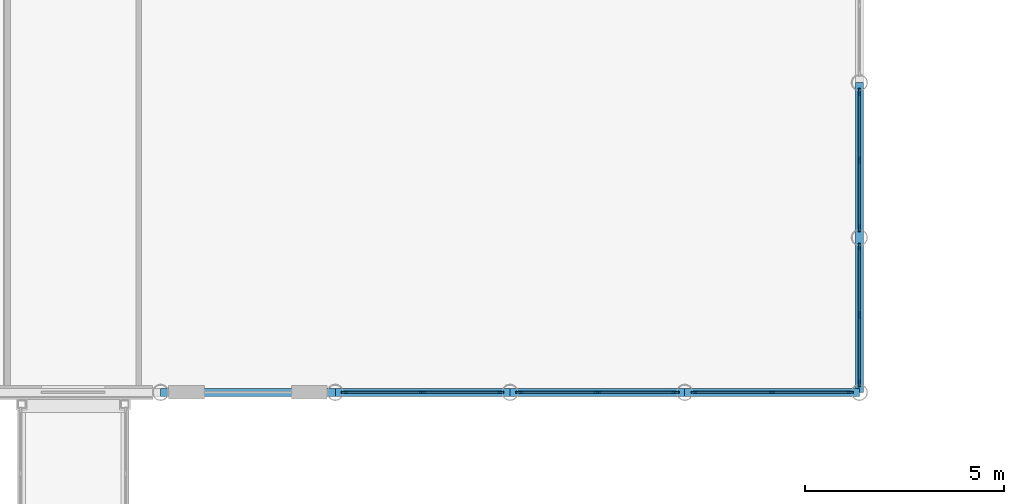
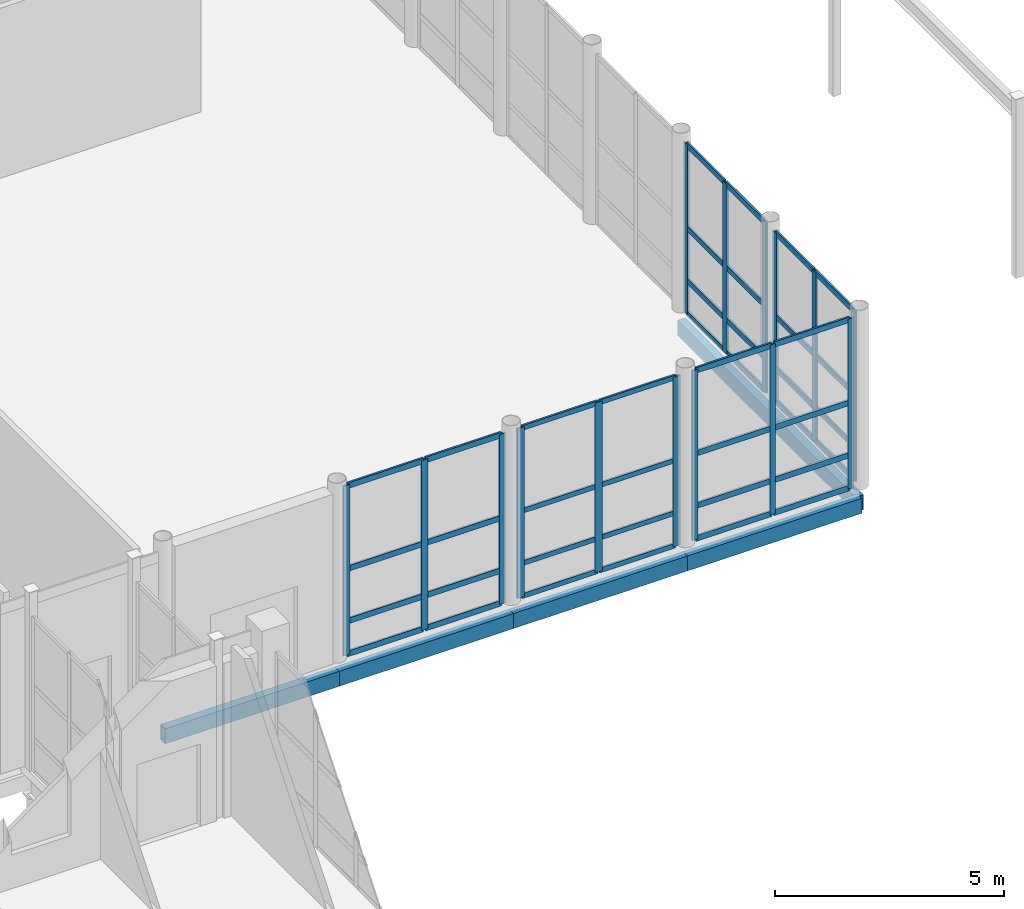
# One storey, part 40 of 131: 55 members, 5 beams, 5 elements without a shape of their own.
"""IFC4 building model written with IfcOpenShell, lengths in metres."""

from ifc_helpers import new_model, si_unit, direction, frame, origin, origin_2d, place, context, subcontext, project, spatial, rectangle, hollow_rectangle, extrude, material, layer, layer_set, material_profile, profile_set, type_object, element, aggregate, save


model = new_model("IFC4")

# Units and contexts
model_context = context("Model", 3, precision=1e-05, world=origin(), true_north=direction((0.0, 1.0)))
body_context = subcontext(model_context, "Body", "Model", "MODEL_VIEW")
ifc_project = project(units=[si_unit("LENGTHUNIT", "METRE"), si_unit("AREAUNIT", "SQUARE_METRE"), si_unit("VOLUMEUNIT", "CUBIC_METRE"), si_unit("PLANEANGLEUNIT", "RADIAN"), si_unit("MASSUNIT", "GRAM", prefix="KILO")], contexts=[model_context])

# Site, building, storey
site_placement = place(None, origin())
site = spatial("IfcSite", under=ifc_project, at=site_placement, CompositionType="ELEMENT")
building_placement = place(site_placement, origin())
building = spatial("IfcBuilding", under=site, at=building_placement, Name="Celorna Specialist Clinic", CompositionType="ELEMENT")
storey_placement = place(building_placement, origin())
storey = spatial("IfcBuildingStorey", under=building, at=storey_placement, Name="L00", CompositionType="ELEMENT", Elevation=0.0)

# Beams
ifc_material_1 = material(Name="Steel S355", Category="steel")
ifc_material_profile_1 = material_profile(ifc_material_1, hollow_rectangle(XDim=0.199951171875, YDim=0.39990234375, WallThickness=0.011962890625, at=origin_2d()), Name="RHS 200x400x12")
ifc_profile_set_1 = profile_set([ifc_material_profile_1], Name="Steel S355")
beam_type = type_object("IfcBeamType", Name="BM-15", PredefinedType="SPANDREL", material=ifc_profile_set_1)
beam_1_placement = place(storey_placement, frame((85.39990234375, 46.800048828125, -0.5), z_axis=(1.0, 0.0, 0.0), x_axis=(0.0, 1.0, 0.0)))
element("IfcBeam", 1, at=beam_1_placement, inside=storey, type_object=beam_type, Name="Spandrel beam BM-15 #135", PredefinedType="SPANDREL", context=body_context, shape_type="SweptSolid", body=[
    extrude(hollow_rectangle(XDim=0.199951171875, YDim=0.39990234375, WallThickness=0.011962890625, at=origin_2d()), origin(), (0.0, 0.0, 1.0), 4.400146484375),
])
beam_2_placement = place(storey_placement, frame((89.800048828125, 46.800048828125, -0.5), z_axis=(1.0, 0.0, 0.0), x_axis=(0.0, 1.0, 0.0)))
element("IfcBeam", 2, at=beam_2_placement, inside=storey, type_object=beam_type, Name="Spandrel beam BM-15 #136", PredefinedType="SPANDREL", context=body_context, shape_type="SweptSolid", body=[
    extrude(hollow_rectangle(XDim=0.199951171875, YDim=0.39990234375, WallThickness=0.011962890625, at=origin_2d()), origin(), (0.0, 0.0, 1.0), 4.39990234375),
])
beam_3_placement = place(storey_placement, frame((94.199951171875, 46.800048828125, -0.5), z_axis=(1.0, 0.0, 0.0), x_axis=(0.0, 1.0, 0.0)))
element("IfcBeam", 3, at=beam_3_placement, inside=storey, type_object=beam_type, Name="Spandrel beam BM-15 #137", PredefinedType="SPANDREL", context=body_context, shape_type="SweptSolid", body=[
    extrude(hollow_rectangle(XDim=0.199951171875, YDim=0.39990234375, WallThickness=0.011962890625, at=origin_2d()), origin(), (0.0, 0.0, 1.0), 4.400146484375),
])
beam_4_placement = place(storey_placement, frame((98.60009765625, 46.800048828125, -0.5), z_axis=(1.0, 0.0, 0.0), x_axis=(0.0, 1.0, 0.0)))
element("IfcBeam", 4, at=beam_4_placement, inside=storey, type_object=beam_type, Name="Spandrel beam BM-15 #138", PredefinedType="SPANDREL", context=body_context, shape_type="SweptSolid", body=[
    extrude(hollow_rectangle(XDim=0.199951171875, YDim=0.39990234375, WallThickness=0.011962890625, at=origin_2d()), origin(), (0.0, 0.0, 1.0), 4.39990234375),
])
beam_5_placement = place(storey_placement, frame((103.0, 46.800048828125, -0.5), z_axis=(0.0, 1.0, 0.0), x_axis=(-1.0, 0.0, 0.0)))
element("IfcBeam", 5, at=beam_5_placement, inside=storey, type_object=beam_type, Name="Spandrel beam BM-15 #175", PredefinedType="SPANDREL", context=body_context, shape_type="SweptSolid", body=[
    extrude(hollow_rectangle(XDim=0.199951171875, YDim=0.39990234375, WallThickness=0.011962890625, at=origin_2d()), origin(), (0.0, 0.0, 1.0), 7.800048828125),
])

# Curtain wall, members
ifc_material_2 = material(Name="Thermally broken aluminium and solar-control glass curtain wall", Category="aluminium")
ifc_layer_1 = layer(ifc_material_2, 0.159912109375, Name="Thermally broken aluminium and solar-control glass curtain wall")
ifc_layer_set_1 = layer_set([ifc_layer_1], Name="Thermally broken aluminium and solar-control glass curtain wall")
curtain_wall_type_1 = type_object("IfcCurtainWallType", Name="CW-03", PredefinedType="NOTDEFINED", material=ifc_layer_set_1)
curtain_wall_1_placement = place(storey_placement, origin())
curtain_wall_1 = element("IfcCurtainWall", 6, at=curtain_wall_1_placement, inside=storey, type_object=curtain_wall_type_1, Name="Curtain wall CW-03 #7", PredefinedType="NOTDEFINED")
ifc_material_3 = material(Name="Anodized aluminium mullion", Category="aluminium")
ifc_material_profile_2 = material_profile(ifc_material_3, rectangle(XDim=0.050048828125, YDim=0.159912109375, at=origin_2d()), Name="ALU MULLION 50x160")
ifc_profile_set_2 = profile_set([ifc_material_profile_2], Name="Anodized aluminium mullion")
member_type_1 = type_object("IfcMemberType", Name="ML-01", PredefinedType="MULLION", material=ifc_profile_set_2)
member_1_placement = place(storey_placement, frame((93.9677734375, 46.800048828125, 0.0), z_axis=(0.0, 0.0, 1.0), x_axis=(0.0, -1.0, 0.0)))
member_1 = element("IfcMember", 7, at=member_1_placement, type_object=member_type_1, Name="CW-03 mullion 1", PredefinedType="MULLION", context=body_context, shape_type="SweptSolid", body=[
    extrude(rectangle(XDim=0.050048828125, YDim=0.159912109375, at=origin_2d()), origin(), (0.0, 0.0, 1.0), 4.5400390625),
])
member_2_placement = place(storey_placement, frame((92.0, 46.800048828125, 0.0), z_axis=(0.0, 0.0, 1.0), x_axis=(0.0, -1.0, 0.0)))
member_2 = element("IfcMember", 8, at=member_2_placement, type_object=member_type_1, Name="CW-03 mullion 2", PredefinedType="MULLION", context=body_context, shape_type="SweptSolid", body=[
    extrude(rectangle(XDim=0.050048828125, YDim=0.159912109375, at=origin_2d()), origin(), (0.0, 0.0, 1.0), 4.5400390625),
])
member_3_placement = place(storey_placement, frame((90.0322265625, 46.800048828125, 0.0), z_axis=(0.0, 0.0, 1.0), x_axis=(0.0, -1.0, 0.0)))
member_3 = element("IfcMember", 9, at=member_3_placement, type_object=member_type_1, Name="CW-03 mullion 3", PredefinedType="MULLION", context=body_context, shape_type="SweptSolid", body=[
    extrude(rectangle(XDim=0.050048828125, YDim=0.159912109375, at=origin_2d()), origin(), (0.0, 0.0, 1.0), 4.5400390625),
])

ifc_layer_2 = layer(ifc_material_2, 0.159912109375, Name="Thermally broken aluminium and solar-control glass curtain wall")
ifc_layer_set_2 = layer_set([ifc_layer_2], Name="Thermally broken aluminium and solar-control glass curtain wall")
curtain_wall_type_2 = type_object("IfcCurtainWallType", Name="CW-01", PredefinedType="NOTDEFINED", material=ifc_layer_set_2)
curtain_wall_2_placement = place(storey_placement, origin())
curtain_wall_2 = element("IfcCurtainWall", 10, at=curtain_wall_2_placement, inside=storey, type_object=curtain_wall_type_2, Name="Curtain wall CW-01 #8", PredefinedType="NOTDEFINED")
ifc_material_profile_3 = material_profile(ifc_material_3, rectangle(XDim=0.050048828125, YDim=0.179931640625, at=origin_2d()), Name="ALU MULLION 50x180")
ifc_profile_set_3 = profile_set([ifc_material_profile_3], Name="Anodized aluminium mullion")
member_type_2 = type_object("IfcMemberType", Name="ML-02", PredefinedType="MULLION", material=ifc_profile_set_3)
member_4_placement = place(storey_placement, frame((98.367919921875, 46.800048828125, 0.0), z_axis=(0.0, 0.0, 1.0), x_axis=(0.0, -1.0, 0.0)))
member_4 = element("IfcMember", 11, at=member_4_placement, type_object=member_type_2, Name="CW-01 mullion 1", PredefinedType="MULLION", context=body_context, shape_type="SweptSolid", body=[
    extrude(rectangle(XDim=0.050048828125, YDim=0.179931640625, at=origin_2d()), origin(), (0.0, 0.0, 1.0), 4.5400390625),
])
member_5_placement = place(storey_placement, frame((96.39990234375, 46.800048828125, 0.0), z_axis=(0.0, 0.0, 1.0), x_axis=(0.0, -1.0, 0.0)))
member_5 = element("IfcMember", 12, at=member_5_placement, type_object=member_type_2, Name="CW-01 mullion 2", PredefinedType="MULLION", context=body_context, shape_type="SweptSolid", body=[
    extrude(rectangle(XDim=0.050048828125, YDim=0.179931640625, at=origin_2d()), origin(), (0.0, 0.0, 1.0), 4.5400390625),
])
member_6_placement = place(storey_placement, frame((94.43212890625, 46.800048828125, 0.0), z_axis=(0.0, 0.0, 1.0), x_axis=(0.0, -1.0, 0.0)))
member_6 = element("IfcMember", 13, at=member_6_placement, type_object=member_type_2, Name="CW-01 mullion 3", PredefinedType="MULLION", context=body_context, shape_type="SweptSolid", body=[
    extrude(rectangle(XDim=0.050048828125, YDim=0.179931640625, at=origin_2d()), origin(), (0.0, 0.0, 1.0), 4.5400390625),
])

ifc_layer_3 = layer(ifc_material_2, 0.159912109375, Name="Thermally broken aluminium and solar-control glass curtain wall")
ifc_layer_set_3 = layer_set([ifc_layer_3], Name="Thermally broken aluminium and solar-control glass curtain wall")
curtain_wall_type_3 = type_object("IfcCurtainWallType", Name="CW-04", PredefinedType="NOTDEFINED", material=ifc_layer_set_3)
curtain_wall_3_placement = place(storey_placement, origin())
curtain_wall_3 = element("IfcCurtainWall", 14, at=curtain_wall_3_placement, inside=storey, type_object=curtain_wall_type_3, Name="Curtain wall CW-04 #18", PredefinedType="NOTDEFINED")
member_7_placement = place(storey_placement, frame((103.0, 54.367919921875, 0.0), z_axis=(0.0, 0.0, 1.0), x_axis=(1.0, 0.0, 0.0)))
member_7 = element("IfcMember", 15, at=member_7_placement, type_object=member_type_2, Name="CW-04 mullion 1", PredefinedType="MULLION", context=body_context, shape_type="SweptSolid", body=[
    extrude(rectangle(XDim=0.050048828125, YDim=0.179931640625, at=origin_2d()), origin(), (0.0, 0.0, 1.0), 4.5400390625),
])
member_8_placement = place(storey_placement, frame((103.0, 52.64990234375, 0.0), z_axis=(0.0, 0.0, 1.0), x_axis=(1.0, 0.0, 0.0)))
member_8 = element("IfcMember", 16, at=member_8_placement, type_object=member_type_2, Name="CW-04 mullion 2", PredefinedType="MULLION", context=body_context, shape_type="SweptSolid", body=[
    extrude(rectangle(XDim=0.050048828125, YDim=0.179931640625, at=origin_2d()), origin(), (0.0, 0.0, 1.0), 4.5400390625),
])
member_9_placement = place(storey_placement, frame((103.0, 50.93212890625, 0.0), z_axis=(0.0, 0.0, 1.0), x_axis=(1.0, 0.0, 0.0)))
member_9 = element("IfcMember", 17, at=member_9_placement, type_object=member_type_2, Name="CW-04 mullion 3", PredefinedType="MULLION", context=body_context, shape_type="SweptSolid", body=[
    extrude(rectangle(XDim=0.050048828125, YDim=0.179931640625, at=origin_2d()), origin(), (0.0, 0.0, 1.0), 4.5400390625),
])

curtain_wall_4_placement = place(storey_placement, origin())
curtain_wall_4 = element("IfcCurtainWall", 18, at=curtain_wall_4_placement, inside=storey, type_object=curtain_wall_type_3, Name="Curtain wall CW-04 #19", PredefinedType="NOTDEFINED")
member_10_placement = place(storey_placement, frame((103.0, 50.4677734375, 0.0), z_axis=(0.0, 0.0, 1.0), x_axis=(1.0, 0.0, 0.0)))
member_10 = element("IfcMember", 19, at=member_10_placement, type_object=member_type_2, Name="CW-04 mullion 1", PredefinedType="MULLION", context=body_context, shape_type="SweptSolid", body=[
    extrude(rectangle(XDim=0.050048828125, YDim=0.179931640625, at=origin_2d()), origin(), (0.0, 0.0, 1.0), 4.5400390625),
])
member_11_placement = place(storey_placement, frame((103.0, 48.75, 0.0), z_axis=(0.0, 0.0, 1.0), x_axis=(1.0, 0.0, 0.0)))
member_11 = element("IfcMember", 20, at=member_11_placement, type_object=member_type_2, Name="CW-04 mullion 2", PredefinedType="MULLION", context=body_context, shape_type="SweptSolid", body=[
    extrude(rectangle(XDim=0.050048828125, YDim=0.179931640625, at=origin_2d()), origin(), (0.0, 0.0, 1.0), 4.5400390625),
])
member_12_placement = place(storey_placement, frame((103.0, 47.0322265625, 0.0), z_axis=(0.0, 0.0, 1.0), x_axis=(1.0, 0.0, 0.0)))
member_12 = element("IfcMember", 21, at=member_12_placement, type_object=member_type_2, Name="CW-04 mullion 3", PredefinedType="MULLION", context=body_context, shape_type="SweptSolid", body=[
    extrude(rectangle(XDim=0.050048828125, YDim=0.179931640625, at=origin_2d()), origin(), (0.0, 0.0, 1.0), 4.5400390625),
])

ifc_layer_4 = layer(ifc_material_2, 0.159912109375, Name="Thermally broken aluminium and solar-control glass curtain wall")
ifc_layer_set_4 = layer_set([ifc_layer_4], Name="Thermally broken aluminium and solar-control glass curtain wall")
curtain_wall_type_4 = type_object("IfcCurtainWallType", Name="CW-02", PredefinedType="NOTDEFINED", material=ifc_layer_set_4)
curtain_wall_5_placement = place(storey_placement, origin())
curtain_wall_5 = element("IfcCurtainWall", 22, at=curtain_wall_5_placement, inside=storey, type_object=curtain_wall_type_4, Name="Curtain wall CW-02 #9", PredefinedType="NOTDEFINED")
ifc_material_profile_4 = material_profile(ifc_material_3, rectangle(XDim=0.050048828125, YDim=0.139892578125, at=origin_2d()), Name="ALU MULLION 50x140")
ifc_profile_set_4 = profile_set([ifc_material_profile_4], Name="Anodized aluminium mullion")
member_type_3 = type_object("IfcMemberType", Name="ML-03", PredefinedType="MULLION", material=ifc_profile_set_4)
member_13_placement = place(storey_placement, frame((102.767822265625, 46.800048828125, 0.0), z_axis=(0.0, 0.0, 1.0), x_axis=(0.0, -1.0, 0.0)))
member_13 = element("IfcMember", 23, at=member_13_placement, type_object=member_type_3, Name="CW-02 mullion 1", PredefinedType="MULLION", context=body_context, shape_type="SweptSolid", body=[
    extrude(rectangle(XDim=0.050048828125, YDim=0.139892578125, at=origin_2d()), origin(), (0.0, 0.0, 1.0), 4.5400390625),
])
member_14_placement = place(storey_placement, frame((100.800048828125, 46.800048828125, 0.0), z_axis=(0.0, 0.0, 1.0), x_axis=(0.0, -1.0, 0.0)))
member_14 = element("IfcMember", 24, at=member_14_placement, type_object=member_type_3, Name="CW-02 mullion 2", PredefinedType="MULLION", context=body_context, shape_type="SweptSolid", body=[
    extrude(rectangle(XDim=0.050048828125, YDim=0.139892578125, at=origin_2d()), origin(), (0.0, 0.0, 1.0), 4.5400390625),
])
member_15_placement = place(storey_placement, frame((98.832275390625, 46.800048828125, 0.0), z_axis=(0.0, 0.0, 1.0), x_axis=(0.0, -1.0, 0.0)))
member_15 = element("IfcMember", 25, at=member_15_placement, type_object=member_type_3, Name="CW-02 mullion 3", PredefinedType="MULLION", context=body_context, shape_type="SweptSolid", body=[
    extrude(rectangle(XDim=0.050048828125, YDim=0.139892578125, at=origin_2d()), origin(), (0.0, 0.0, 1.0), 4.5400390625),
])

# Member
ifc_material_4 = material(Name="Anodized aluminium transom", Category="aluminium")
ifc_material_profile_5 = material_profile(ifc_material_4, rectangle(XDim=0.050048828125, YDim=0.1298828125, at=origin_2d()), Name="ALU TRANSOM 50x130")
ifc_profile_set_5 = profile_set([ifc_material_profile_5], Name="Anodized aluminium transom")
member_type_4 = type_object("IfcMemberType", Name="TR-01", PredefinedType="USERDEFINED", material=ifc_profile_set_5)
member_16_placement = place(storey_placement, frame((98.3427734375, 46.800048828125, 0.02490234375), z_axis=(-1.0, 0.0, 0.0), x_axis=(0.0, -1.0, 0.0)))
member_16 = element("IfcMember", 26, at=member_16_placement, type_object=member_type_4, Name="CW-01 transom 1.1", ObjectType="TRANSOM", PredefinedType="USERDEFINED", context=body_context, shape_type="SweptSolid", body=[
    extrude(rectangle(XDim=0.050048828125, YDim=0.1298828125, at=origin_2d()), origin(), (0.0, 0.0, 1.0), 1.917724609375),
])

member_17_placement = place(storey_placement, frame((98.3427734375, 46.800048828125, 0.89990234375), z_axis=(-1.0, 0.0, 0.0), x_axis=(0.0, -1.0, 0.0)))
member_17 = element("IfcMember", 27, at=member_17_placement, type_object=member_type_4, Name="CW-01 transom 1.2", ObjectType="TRANSOM", PredefinedType="USERDEFINED", context=body_context, shape_type="SweptSolid", body=[
    extrude(rectangle(XDim=0.050048828125, YDim=0.1298828125, at=origin_2d()), origin(), (0.0, 0.0, 1.0), 1.917724609375),
])

member_18_placement = place(storey_placement, frame((98.3427734375, 46.800048828125, 2.300048828125), z_axis=(-1.0, 0.0, 0.0), x_axis=(0.0, -1.0, 0.0)))
member_18 = element("IfcMember", 28, at=member_18_placement, type_object=member_type_4, Name="CW-01 transom 1.3", ObjectType="TRANSOM", PredefinedType="USERDEFINED", context=body_context, shape_type="SweptSolid", body=[
    extrude(rectangle(XDim=0.050048828125, YDim=0.1298828125, at=origin_2d()), origin(), (0.0, 0.0, 1.0), 1.917724609375),
])

member_19_placement = place(storey_placement, frame((98.3427734375, 46.800048828125, 4.514892578125), z_axis=(-1.0, 0.0, 0.0), x_axis=(0.0, -1.0, 0.0)))
member_19 = element("IfcMember", 29, at=member_19_placement, type_object=member_type_4, Name="CW-01 transom 1.4", ObjectType="TRANSOM", PredefinedType="USERDEFINED", context=body_context, shape_type="SweptSolid", body=[
    extrude(rectangle(XDim=0.050048828125, YDim=0.1298828125, at=origin_2d()), origin(), (0.0, 0.0, 1.0), 1.917724609375),
])

member_20_placement = place(storey_placement, frame((96.375, 46.800048828125, 0.02490234375), z_axis=(-1.0, 0.0, 0.0), x_axis=(0.0, -1.0, 0.0)))
member_20 = element("IfcMember", 30, at=member_20_placement, type_object=member_type_4, Name="CW-01 transom 2.1", ObjectType="TRANSOM", PredefinedType="USERDEFINED", context=body_context, shape_type="SweptSolid", body=[
    extrude(rectangle(XDim=0.050048828125, YDim=0.1298828125, at=origin_2d()), origin(), (0.0, 0.0, 1.0), 1.917724609375),
])

member_21_placement = place(storey_placement, frame((96.375, 46.800048828125, 0.89990234375), z_axis=(-1.0, 0.0, 0.0), x_axis=(0.0, -1.0, 0.0)))
member_21 = element("IfcMember", 31, at=member_21_placement, type_object=member_type_4, Name="CW-01 transom 2.2", ObjectType="TRANSOM", PredefinedType="USERDEFINED", context=body_context, shape_type="SweptSolid", body=[
    extrude(rectangle(XDim=0.050048828125, YDim=0.1298828125, at=origin_2d()), origin(), (0.0, 0.0, 1.0), 1.917724609375),
])

member_22_placement = place(storey_placement, frame((96.375, 46.800048828125, 2.300048828125), z_axis=(-1.0, 0.0, 0.0), x_axis=(0.0, -1.0, 0.0)))
member_22 = element("IfcMember", 32, at=member_22_placement, type_object=member_type_4, Name="CW-01 transom 2.3", ObjectType="TRANSOM", PredefinedType="USERDEFINED", context=body_context, shape_type="SweptSolid", body=[
    extrude(rectangle(XDim=0.050048828125, YDim=0.1298828125, at=origin_2d()), origin(), (0.0, 0.0, 1.0), 1.917724609375),
])

member_23_placement = place(storey_placement, frame((96.375, 46.800048828125, 4.514892578125), z_axis=(-1.0, 0.0, 0.0), x_axis=(0.0, -1.0, 0.0)))
member_23 = element("IfcMember", 33, at=member_23_placement, type_object=member_type_4, Name="CW-01 transom 2.4", ObjectType="TRANSOM", PredefinedType="USERDEFINED", context=body_context, shape_type="SweptSolid", body=[
    extrude(rectangle(XDim=0.050048828125, YDim=0.1298828125, at=origin_2d()), origin(), (0.0, 0.0, 1.0), 1.917724609375),
])

aggregate(curtain_wall_2, [member_4, member_5, member_6, member_16, member_17, member_18, member_19, member_20, member_21, member_22, member_23])

ifc_material_profile_6 = material_profile(ifc_material_4, rectangle(XDim=0.050048828125, YDim=0.14990234375, at=origin_2d()), Name="ALU TRANSOM 50x150")
ifc_profile_set_6 = profile_set([ifc_material_profile_6], Name="Anodized aluminium transom")
member_type_5 = type_object("IfcMemberType", Name="TR-02", PredefinedType="USERDEFINED", material=ifc_profile_set_6)
member_24_placement = place(storey_placement, frame((93.94287109375, 46.800048828125, 0.02490234375), z_axis=(-1.0, 0.0, 0.0), x_axis=(0.0, -1.0, 0.0)))
member_24 = element("IfcMember", 34, at=member_24_placement, type_object=member_type_5, Name="CW-03 transom 1.1", ObjectType="TRANSOM", PredefinedType="USERDEFINED", context=body_context, shape_type="SweptSolid", body=[
    extrude(rectangle(XDim=0.050048828125, YDim=0.14990234375, at=origin_2d()), origin(), (0.0, 0.0, 1.0), 1.91796875),
])

member_25_placement = place(storey_placement, frame((93.94287109375, 46.800048828125, 0.89990234375), z_axis=(-1.0, 0.0, 0.0), x_axis=(0.0, -1.0, 0.0)))
member_25 = element("IfcMember", 35, at=member_25_placement, type_object=member_type_5, Name="CW-03 transom 1.2", ObjectType="TRANSOM", PredefinedType="USERDEFINED", context=body_context, shape_type="SweptSolid", body=[
    extrude(rectangle(XDim=0.050048828125, YDim=0.14990234375, at=origin_2d()), origin(), (0.0, 0.0, 1.0), 1.91796875),
])

member_26_placement = place(storey_placement, frame((93.94287109375, 46.800048828125, 2.300048828125), z_axis=(-1.0, 0.0, 0.0), x_axis=(0.0, -1.0, 0.0)))
member_26 = element("IfcMember", 36, at=member_26_placement, type_object=member_type_5, Name="CW-03 transom 1.3", ObjectType="TRANSOM", PredefinedType="USERDEFINED", context=body_context, shape_type="SweptSolid", body=[
    extrude(rectangle(XDim=0.050048828125, YDim=0.14990234375, at=origin_2d()), origin(), (0.0, 0.0, 1.0), 1.91796875),
])

member_27_placement = place(storey_placement, frame((93.94287109375, 46.800048828125, 4.514892578125), z_axis=(-1.0, 0.0, 0.0), x_axis=(0.0, -1.0, 0.0)))
member_27 = element("IfcMember", 37, at=member_27_placement, type_object=member_type_5, Name="CW-03 transom 1.4", ObjectType="TRANSOM", PredefinedType="USERDEFINED", context=body_context, shape_type="SweptSolid", body=[
    extrude(rectangle(XDim=0.050048828125, YDim=0.14990234375, at=origin_2d()), origin(), (0.0, 0.0, 1.0), 1.91796875),
])

member_28_placement = place(storey_placement, frame((91.97509765625, 46.800048828125, 0.02490234375), z_axis=(-1.0, 0.0, 0.0), x_axis=(0.0, -1.0, 0.0)))
member_28 = element("IfcMember", 38, at=member_28_placement, type_object=member_type_5, Name="CW-03 transom 2.1", ObjectType="TRANSOM", PredefinedType="USERDEFINED", context=body_context, shape_type="SweptSolid", body=[
    extrude(rectangle(XDim=0.050048828125, YDim=0.14990234375, at=origin_2d()), origin(), (0.0, 0.0, 1.0), 1.91796875),
])

member_29_placement = place(storey_placement, frame((91.97509765625, 46.800048828125, 0.89990234375), z_axis=(-1.0, 0.0, 0.0), x_axis=(0.0, -1.0, 0.0)))
member_29 = element("IfcMember", 39, at=member_29_placement, type_object=member_type_5, Name="CW-03 transom 2.2", ObjectType="TRANSOM", PredefinedType="USERDEFINED", context=body_context, shape_type="SweptSolid", body=[
    extrude(rectangle(XDim=0.050048828125, YDim=0.14990234375, at=origin_2d()), origin(), (0.0, 0.0, 1.0), 1.91796875),
])

member_30_placement = place(storey_placement, frame((91.97509765625, 46.800048828125, 2.300048828125), z_axis=(-1.0, 0.0, 0.0), x_axis=(0.0, -1.0, 0.0)))
member_30 = element("IfcMember", 40, at=member_30_placement, type_object=member_type_5, Name="CW-03 transom 2.3", ObjectType="TRANSOM", PredefinedType="USERDEFINED", context=body_context, shape_type="SweptSolid", body=[
    extrude(rectangle(XDim=0.050048828125, YDim=0.14990234375, at=origin_2d()), origin(), (0.0, 0.0, 1.0), 1.91796875),
])

member_31_placement = place(storey_placement, frame((91.97509765625, 46.800048828125, 4.514892578125), z_axis=(-1.0, 0.0, 0.0), x_axis=(0.0, -1.0, 0.0)))
member_31 = element("IfcMember", 41, at=member_31_placement, type_object=member_type_5, Name="CW-03 transom 2.4", ObjectType="TRANSOM", PredefinedType="USERDEFINED", context=body_context, shape_type="SweptSolid", body=[
    extrude(rectangle(XDim=0.050048828125, YDim=0.14990234375, at=origin_2d()), origin(), (0.0, 0.0, 1.0), 1.91796875),
])

aggregate(curtain_wall_1, [member_1, member_2, member_3, member_24, member_25, member_26, member_27, member_28, member_29, member_30, member_31])

member_32_placement = place(storey_placement, frame((102.742919921875, 46.800048828125, 0.02490234375), z_axis=(-1.0, 0.0, 0.0), x_axis=(0.0, -1.0, 0.0)))
member_32 = element("IfcMember", 42, at=member_32_placement, type_object=member_type_5, Name="CW-02 transom 1.1", ObjectType="TRANSOM", PredefinedType="USERDEFINED", context=body_context, shape_type="SweptSolid", body=[
    extrude(rectangle(XDim=0.050048828125, YDim=0.14990234375, at=origin_2d()), origin(), (0.0, 0.0, 1.0), 1.91796875),
])

member_33_placement = place(storey_placement, frame((102.742919921875, 46.800048828125, 0.89990234375), z_axis=(-1.0, 0.0, 0.0), x_axis=(0.0, -1.0, 0.0)))
member_33 = element("IfcMember", 43, at=member_33_placement, type_object=member_type_5, Name="CW-02 transom 1.2", ObjectType="TRANSOM", PredefinedType="USERDEFINED", context=body_context, shape_type="SweptSolid", body=[
    extrude(rectangle(XDim=0.050048828125, YDim=0.14990234375, at=origin_2d()), origin(), (0.0, 0.0, 1.0), 1.91796875),
])

member_34_placement = place(storey_placement, frame((102.742919921875, 46.800048828125, 2.300048828125), z_axis=(-1.0, 0.0, 0.0), x_axis=(0.0, -1.0, 0.0)))
member_34 = element("IfcMember", 44, at=member_34_placement, type_object=member_type_5, Name="CW-02 transom 1.3", ObjectType="TRANSOM", PredefinedType="USERDEFINED", context=body_context, shape_type="SweptSolid", body=[
    extrude(rectangle(XDim=0.050048828125, YDim=0.14990234375, at=origin_2d()), origin(), (0.0, 0.0, 1.0), 1.91796875),
])

member_35_placement = place(storey_placement, frame((102.742919921875, 46.800048828125, 4.514892578125), z_axis=(-1.0, 0.0, 0.0), x_axis=(0.0, -1.0, 0.0)))
member_35 = element("IfcMember", 45, at=member_35_placement, type_object=member_type_5, Name="CW-02 transom 1.4", ObjectType="TRANSOM", PredefinedType="USERDEFINED", context=body_context, shape_type="SweptSolid", body=[
    extrude(rectangle(XDim=0.050048828125, YDim=0.14990234375, at=origin_2d()), origin(), (0.0, 0.0, 1.0), 1.91796875),
])

member_36_placement = place(storey_placement, frame((100.77490234375, 46.800048828125, 0.02490234375), z_axis=(-1.0, 0.0, 0.0), x_axis=(0.0, -1.0, 0.0)))
member_36 = element("IfcMember", 46, at=member_36_placement, type_object=member_type_5, Name="CW-02 transom 2.1", ObjectType="TRANSOM", PredefinedType="USERDEFINED", context=body_context, shape_type="SweptSolid", body=[
    extrude(rectangle(XDim=0.050048828125, YDim=0.14990234375, at=origin_2d()), origin(), (0.0, 0.0, 1.0), 1.917724609375),
])

member_37_placement = place(storey_placement, frame((100.77490234375, 46.800048828125, 0.89990234375), z_axis=(-1.0, 0.0, 0.0), x_axis=(0.0, -1.0, 0.0)))
member_37 = element("IfcMember", 47, at=member_37_placement, type_object=member_type_5, Name="CW-02 transom 2.2", ObjectType="TRANSOM", PredefinedType="USERDEFINED", context=body_context, shape_type="SweptSolid", body=[
    extrude(rectangle(XDim=0.050048828125, YDim=0.14990234375, at=origin_2d()), origin(), (0.0, 0.0, 1.0), 1.917724609375),
])

member_38_placement = place(storey_placement, frame((100.77490234375, 46.800048828125, 2.300048828125), z_axis=(-1.0, 0.0, 0.0), x_axis=(0.0, -1.0, 0.0)))
member_38 = element("IfcMember", 48, at=member_38_placement, type_object=member_type_5, Name="CW-02 transom 2.3", ObjectType="TRANSOM", PredefinedType="USERDEFINED", context=body_context, shape_type="SweptSolid", body=[
    extrude(rectangle(XDim=0.050048828125, YDim=0.14990234375, at=origin_2d()), origin(), (0.0, 0.0, 1.0), 1.917724609375),
])

member_39_placement = place(storey_placement, frame((100.77490234375, 46.800048828125, 4.514892578125), z_axis=(-1.0, 0.0, 0.0), x_axis=(0.0, -1.0, 0.0)))
member_39 = element("IfcMember", 49, at=member_39_placement, type_object=member_type_5, Name="CW-02 transom 2.4", ObjectType="TRANSOM", PredefinedType="USERDEFINED", context=body_context, shape_type="SweptSolid", body=[
    extrude(rectangle(XDim=0.050048828125, YDim=0.14990234375, at=origin_2d()), origin(), (0.0, 0.0, 1.0), 1.917724609375),
])

aggregate(curtain_wall_5, [member_13, member_14, member_15, member_32, member_33, member_34, member_35, member_36, member_37, member_38, member_39])

member_40_placement = place(storey_placement, frame((103.0, 54.3427734375, 0.02490234375), z_axis=(0.0, -1.0, 0.0), x_axis=(1.0, 0.0, 0.0)))
member_40 = element("IfcMember", 50, at=member_40_placement, type_object=member_type_5, Name="CW-04 transom 1.1", ObjectType="TRANSOM", PredefinedType="USERDEFINED", context=body_context, shape_type="SweptSolid", body=[
    extrude(rectangle(XDim=0.050048828125, YDim=0.14990234375, at=origin_2d()), origin(), (0.0, 0.0, 1.0), 1.667724609375),
])

member_41_placement = place(storey_placement, frame((103.0, 54.3427734375, 0.89990234375), z_axis=(0.0, -1.0, 0.0), x_axis=(1.0, 0.0, 0.0)))
member_41 = element("IfcMember", 51, at=member_41_placement, type_object=member_type_5, Name="CW-04 transom 1.2", ObjectType="TRANSOM", PredefinedType="USERDEFINED", context=body_context, shape_type="SweptSolid", body=[
    extrude(rectangle(XDim=0.050048828125, YDim=0.14990234375, at=origin_2d()), origin(), (0.0, 0.0, 1.0), 1.667724609375),
])

member_42_placement = place(storey_placement, frame((103.0, 54.3427734375, 2.300048828125), z_axis=(0.0, -1.0, 0.0), x_axis=(1.0, 0.0, 0.0)))
member_42 = element("IfcMember", 52, at=member_42_placement, type_object=member_type_5, Name="CW-04 transom 1.3", ObjectType="TRANSOM", PredefinedType="USERDEFINED", context=body_context, shape_type="SweptSolid", body=[
    extrude(rectangle(XDim=0.050048828125, YDim=0.14990234375, at=origin_2d()), origin(), (0.0, 0.0, 1.0), 1.667724609375),
])

member_43_placement = place(storey_placement, frame((103.0, 54.3427734375, 4.514892578125), z_axis=(0.0, -1.0, 0.0), x_axis=(1.0, 0.0, 0.0)))
member_43 = element("IfcMember", 53, at=member_43_placement, type_object=member_type_5, Name="CW-04 transom 1.4", ObjectType="TRANSOM", PredefinedType="USERDEFINED", context=body_context, shape_type="SweptSolid", body=[
    extrude(rectangle(XDim=0.050048828125, YDim=0.14990234375, at=origin_2d()), origin(), (0.0, 0.0, 1.0), 1.667724609375),
])

member_44_placement = place(storey_placement, frame((103.0, 52.625, 0.02490234375), z_axis=(0.0, -1.0, 0.0), x_axis=(1.0, 0.0, 0.0)))
member_44 = element("IfcMember", 54, at=member_44_placement, type_object=member_type_5, Name="CW-04 transom 2.1", ObjectType="TRANSOM", PredefinedType="USERDEFINED", context=body_context, shape_type="SweptSolid", body=[
    extrude(rectangle(XDim=0.050048828125, YDim=0.14990234375, at=origin_2d()), origin(), (0.0, 0.0, 1.0), 1.667724609375),
])

member_45_placement = place(storey_placement, frame((103.0, 52.625, 0.89990234375), z_axis=(0.0, -1.0, 0.0), x_axis=(1.0, 0.0, 0.0)))
member_45 = element("IfcMember", 55, at=member_45_placement, type_object=member_type_5, Name="CW-04 transom 2.2", ObjectType="TRANSOM", PredefinedType="USERDEFINED", context=body_context, shape_type="SweptSolid", body=[
    extrude(rectangle(XDim=0.050048828125, YDim=0.14990234375, at=origin_2d()), origin(), (0.0, 0.0, 1.0), 1.667724609375),
])

member_46_placement = place(storey_placement, frame((103.0, 52.625, 2.300048828125), z_axis=(0.0, -1.0, 0.0), x_axis=(1.0, 0.0, 0.0)))
member_46 = element("IfcMember", 56, at=member_46_placement, type_object=member_type_5, Name="CW-04 transom 2.3", ObjectType="TRANSOM", PredefinedType="USERDEFINED", context=body_context, shape_type="SweptSolid", body=[
    extrude(rectangle(XDim=0.050048828125, YDim=0.14990234375, at=origin_2d()), origin(), (0.0, 0.0, 1.0), 1.667724609375),
])

member_47_placement = place(storey_placement, frame((103.0, 52.625, 4.514892578125), z_axis=(0.0, -1.0, 0.0), x_axis=(1.0, 0.0, 0.0)))
member_47 = element("IfcMember", 57, at=member_47_placement, type_object=member_type_5, Name="CW-04 transom 2.4", ObjectType="TRANSOM", PredefinedType="USERDEFINED", context=body_context, shape_type="SweptSolid", body=[
    extrude(rectangle(XDim=0.050048828125, YDim=0.14990234375, at=origin_2d()), origin(), (0.0, 0.0, 1.0), 1.667724609375),
])

aggregate(curtain_wall_3, [member_7, member_8, member_9, member_40, member_41, member_42, member_43, member_44, member_45, member_46, member_47])

member_48_placement = place(storey_placement, frame((103.0, 50.44287109375, 0.02490234375), z_axis=(0.0, -1.0, 0.0), x_axis=(1.0, 0.0, 0.0)))
member_48 = element("IfcMember", 58, at=member_48_placement, type_object=member_type_5, Name="CW-04 transom 1.1", ObjectType="TRANSOM", PredefinedType="USERDEFINED", context=body_context, shape_type="SweptSolid", body=[
    extrude(rectangle(XDim=0.050048828125, YDim=0.14990234375, at=origin_2d()), origin(), (0.0, 0.0, 1.0), 1.66796875),
])

member_49_placement = place(storey_placement, frame((103.0, 50.44287109375, 0.89990234375), z_axis=(0.0, -1.0, 0.0), x_axis=(1.0, 0.0, 0.0)))
member_49 = element("IfcMember", 59, at=member_49_placement, type_object=member_type_5, Name="CW-04 transom 1.2", ObjectType="TRANSOM", PredefinedType="USERDEFINED", context=body_context, shape_type="SweptSolid", body=[
    extrude(rectangle(XDim=0.050048828125, YDim=0.14990234375, at=origin_2d()), origin(), (0.0, 0.0, 1.0), 1.66796875),
])

member_50_placement = place(storey_placement, frame((103.0, 50.44287109375, 2.300048828125), z_axis=(0.0, -1.0, 0.0), x_axis=(1.0, 0.0, 0.0)))
member_50 = element("IfcMember", 60, at=member_50_placement, type_object=member_type_5, Name="CW-04 transom 1.3", ObjectType="TRANSOM", PredefinedType="USERDEFINED", context=body_context, shape_type="SweptSolid", body=[
    extrude(rectangle(XDim=0.050048828125, YDim=0.14990234375, at=origin_2d()), origin(), (0.0, 0.0, 1.0), 1.66796875),
])

member_51_placement = place(storey_placement, frame((103.0, 50.44287109375, 4.514892578125), z_axis=(0.0, -1.0, 0.0), x_axis=(1.0, 0.0, 0.0)))
member_51 = element("IfcMember", 61, at=member_51_placement, type_object=member_type_5, Name="CW-04 transom 1.4", ObjectType="TRANSOM", PredefinedType="USERDEFINED", context=body_context, shape_type="SweptSolid", body=[
    extrude(rectangle(XDim=0.050048828125, YDim=0.14990234375, at=origin_2d()), origin(), (0.0, 0.0, 1.0), 1.66796875),
])

member_52_placement = place(storey_placement, frame((103.0, 48.72509765625, 0.02490234375), z_axis=(0.0, -1.0, 0.0), x_axis=(1.0, 0.0, 0.0)))
member_52 = element("IfcMember", 62, at=member_52_placement, type_object=member_type_5, Name="CW-04 transom 2.1", ObjectType="TRANSOM", PredefinedType="USERDEFINED", context=body_context, shape_type="SweptSolid", body=[
    extrude(rectangle(XDim=0.050048828125, YDim=0.14990234375, at=origin_2d()), origin(), (0.0, 0.0, 1.0), 1.66796875),
])

member_53_placement = place(storey_placement, frame((103.0, 48.72509765625, 0.89990234375), z_axis=(0.0, -1.0, 0.0), x_axis=(1.0, 0.0, 0.0)))
member_53 = element("IfcMember", 63, at=member_53_placement, type_object=member_type_5, Name="CW-04 transom 2.2", ObjectType="TRANSOM", PredefinedType="USERDEFINED", context=body_context, shape_type="SweptSolid", body=[
    extrude(rectangle(XDim=0.050048828125, YDim=0.14990234375, at=origin_2d()), origin(), (0.0, 0.0, 1.0), 1.66796875),
])

member_54_placement = place(storey_placement, frame((103.0, 48.72509765625, 2.300048828125), z_axis=(0.0, -1.0, 0.0), x_axis=(1.0, 0.0, 0.0)))
member_54 = element("IfcMember", 64, at=member_54_placement, type_object=member_type_5, Name="CW-04 transom 2.3", ObjectType="TRANSOM", PredefinedType="USERDEFINED", context=body_context, shape_type="SweptSolid", body=[
    extrude(rectangle(XDim=0.050048828125, YDim=0.14990234375, at=origin_2d()), origin(), (0.0, 0.0, 1.0), 1.66796875),
])

member_55_placement = place(storey_placement, frame((103.0, 48.72509765625, 4.514892578125), z_axis=(0.0, -1.0, 0.0), x_axis=(1.0, 0.0, 0.0)))
member_55 = element("IfcMember", 65, at=member_55_placement, type_object=member_type_5, Name="CW-04 transom 2.4", ObjectType="TRANSOM", PredefinedType="USERDEFINED", context=body_context, shape_type="SweptSolid", body=[
    extrude(rectangle(XDim=0.050048828125, YDim=0.14990234375, at=origin_2d()), origin(), (0.0, 0.0, 1.0), 1.66796875),
])

aggregate(curtain_wall_4, [member_10, member_11, member_12, member_48, member_49, member_50, member_51, member_52, member_53, member_54, member_55])

save(model, "model.ifc")
